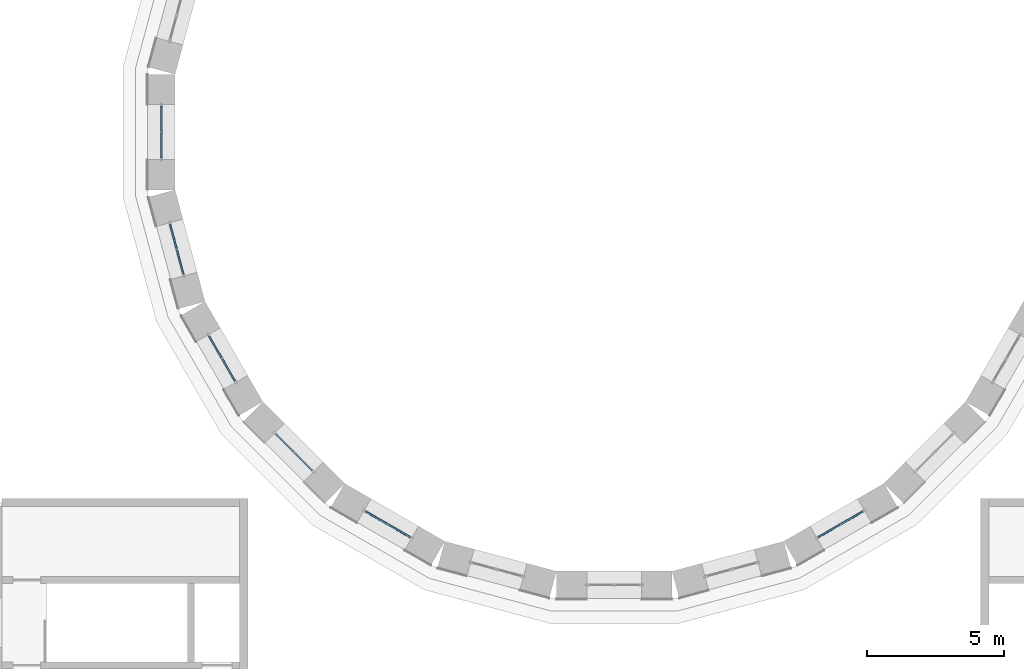
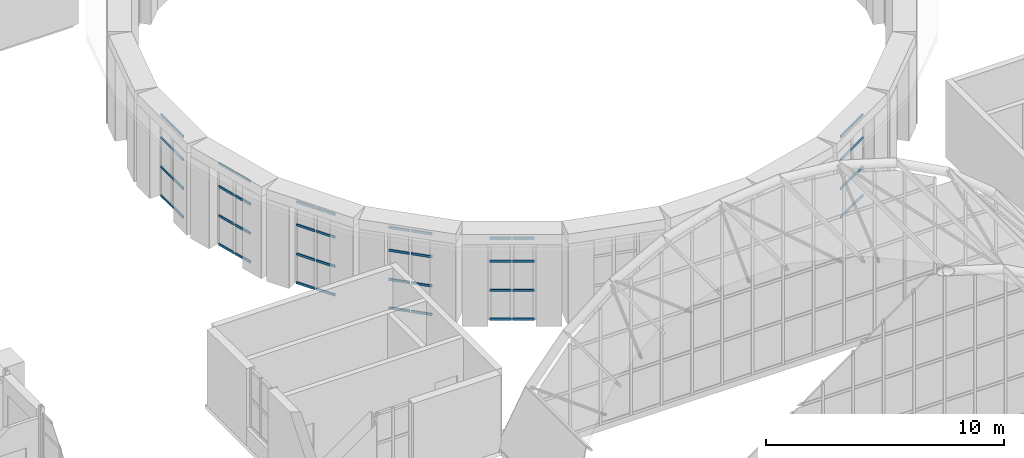
# One storey, part 70 of 121: 48 members, 6 elements without a shape of their own.
"""IFC4 building model written with IfcOpenShell, lengths in metres."""

from ifc_helpers import new_model, si_unit, direction, frame, origin, origin_2d, place, context, subcontext, project, spatial, rectangle, extrude, material, layer, layer_set, material_profile, profile_set, type_object, element, aggregate, save


model = new_model("IFC4")

# Units and contexts
model_context = context("Model", 3, precision=1e-05, world=origin(), true_north=direction((0.0, 1.0)))
body_context = subcontext(model_context, "Body", "Model", "MODEL_VIEW")
ifc_project = project(units=[si_unit("LENGTHUNIT", "METRE"), si_unit("AREAUNIT", "SQUARE_METRE"), si_unit("VOLUMEUNIT", "CUBIC_METRE"), si_unit("PLANEANGLEUNIT", "RADIAN"), si_unit("MASSUNIT", "GRAM", prefix="KILO")], contexts=[model_context])

# Site, building, storey
site_placement = place(None, origin())
site = spatial("IfcSite", under=ifc_project, at=site_placement, CompositionType="ELEMENT")
building_placement = place(site_placement, origin())
building = spatial("IfcBuilding", under=site, at=building_placement, Name="Golden Quay Civic Hall", CompositionType="ELEMENT")
storey_placement = place(building_placement, frame((0.0, 0.0, 18.60009765625)))
storey = spatial("IfcBuildingStorey", under=building, at=storey_placement, Name="L04", CompositionType="ELEMENT", Elevation=18.60009765625)

# Curtain wall, members
ifc_material_1 = material(Name="Glass, laminated double glazed", Category="glass")
ifc_layer = layer(ifc_material_1, 0.199951171875)
ifc_layer_set = layer_set([ifc_layer], Name="Glazed drum clerestory curtain wall")
curtain_wall_type = type_object("IfcCurtainWallType", Name="Glazed drum clerestory curtain wall", PredefinedType="NOTDEFINED", material=ifc_layer_set)
curtain_wall_1_placement = place(storey_placement, origin())
curtain_wall_1 = element("IfcCurtainWall", 1, at=curtain_wall_1_placement, inside=storey, type_object=curtain_wall_type, Name="Clerestory curtain wall 12", PredefinedType="NOTDEFINED")
ifc_material_2 = material(Name="Aluminium, anodised", Category="aluminium")
ifc_material_profile = material_profile(ifc_material_2, rectangle(XDim=0.06005859375, YDim=0.1201171875, at=origin_2d()), Name="Aluminium 60 x 120")
ifc_profile_set = profile_set([ifc_material_profile], Name="Aluminium, anodised")
member_type = type_object("IfcMemberType", Name="Aluminium transom 60 x 120", PredefinedType="USERDEFINED", material=ifc_profile_set)
member_1_placement = place(storey_placement, frame((69.0, 86.43994140625, -0.170166015625), z_axis=(0.0, -1.0, 0.0), x_axis=(1.0, 0.0, 0.0)))
member_1 = element("IfcMember", 2, at=member_1_placement, type_object=member_type, Name="CW5 transom 1.1", ObjectType="TRANSOM", PredefinedType="USERDEFINED", context=body_context, shape_type="SweptSolid", body=[
    extrude(rectangle(XDim=0.06005859375, YDim=0.1201171875, at=origin_2d()), origin(), (0.0, 0.0, 1.0), 0.909912109375),
])
member_2_placement = place(storey_placement, frame((69.0, 86.43994140625, 1.2998046875), z_axis=(0.0, -1.0, 0.0), x_axis=(1.0, 0.0, 0.0)))
member_2 = element("IfcMember", 3, at=member_2_placement, type_object=member_type, Name="CW5 transom 1.2", ObjectType="TRANSOM", PredefinedType="USERDEFINED", context=body_context, shape_type="SweptSolid", body=[
    extrude(rectangle(XDim=0.06005859375, YDim=0.1201171875, at=origin_2d()), origin(), (0.0, 0.0, 1.0), 0.909912109375),
])
member_3_placement = place(storey_placement, frame((69.0, 86.43994140625, 2.7998046875), z_axis=(0.0, -1.0, 0.0), x_axis=(1.0, 0.0, 0.0)))
member_3 = element("IfcMember", 4, at=member_3_placement, type_object=member_type, Name="CW5 transom 1.3", ObjectType="TRANSOM", PredefinedType="USERDEFINED", context=body_context, shape_type="SweptSolid", body=[
    extrude(rectangle(XDim=0.06005859375, YDim=0.1201171875, at=origin_2d()), origin(), (0.0, 0.0, 1.0), 0.909912109375),
])
member_4_placement = place(storey_placement, frame((69.0, 86.43994140625, 3.969970703125), z_axis=(0.0, -1.0, 0.0), x_axis=(1.0, 0.0, 0.0)))
member_4 = element("IfcMember", 5, at=member_4_placement, type_object=member_type, Name="CW5 transom 1.4", ObjectType="TRANSOM", PredefinedType="USERDEFINED", context=body_context, shape_type="SweptSolid", body=[
    extrude(rectangle(XDim=0.06005859375, YDim=0.1201171875, at=origin_2d()), origin(), (0.0, 0.0, 1.0), 0.909912109375),
])
member_5_placement = place(storey_placement, frame((69.0, 85.469970703125, -0.170166015625), z_axis=(0.0, -1.0, 0.0), x_axis=(1.0, 0.0, 0.0)))
member_5 = element("IfcMember", 6, at=member_5_placement, type_object=member_type, Name="CW5 transom 2.1", ObjectType="TRANSOM", PredefinedType="USERDEFINED", context=body_context, shape_type="SweptSolid", body=[
    extrude(rectangle(XDim=0.06005859375, YDim=0.1201171875, at=origin_2d()), origin(), (0.0, 0.0, 1.0), 0.909912109375),
])
member_6_placement = place(storey_placement, frame((69.0, 85.469970703125, 1.2998046875), z_axis=(0.0, -1.0, 0.0), x_axis=(1.0, 0.0, 0.0)))
member_6 = element("IfcMember", 7, at=member_6_placement, type_object=member_type, Name="CW5 transom 2.2", ObjectType="TRANSOM", PredefinedType="USERDEFINED", context=body_context, shape_type="SweptSolid", body=[
    extrude(rectangle(XDim=0.06005859375, YDim=0.1201171875, at=origin_2d()), origin(), (0.0, 0.0, 1.0), 0.909912109375),
])
member_7_placement = place(storey_placement, frame((69.0, 85.469970703125, 2.7998046875), z_axis=(0.0, -1.0, 0.0), x_axis=(1.0, 0.0, 0.0)))
member_7 = element("IfcMember", 8, at=member_7_placement, type_object=member_type, Name="CW5 transom 2.3", ObjectType="TRANSOM", PredefinedType="USERDEFINED", context=body_context, shape_type="SweptSolid", body=[
    extrude(rectangle(XDim=0.06005859375, YDim=0.1201171875, at=origin_2d()), origin(), (0.0, 0.0, 1.0), 0.909912109375),
])
member_8_placement = place(storey_placement, frame((69.0, 85.469970703125, 3.969970703125), z_axis=(0.0, -1.0, 0.0), x_axis=(1.0, 0.0, 0.0)))
member_8 = element("IfcMember", 9, at=member_8_placement, type_object=member_type, Name="CW5 transom 2.4", ObjectType="TRANSOM", PredefinedType="USERDEFINED", context=body_context, shape_type="SweptSolid", body=[
    extrude(rectangle(XDim=0.06005859375, YDim=0.1201171875, at=origin_2d()), origin(), (0.0, 0.0, 1.0), 0.909912109375),
])
aggregate(curtain_wall_1, [member_1, member_2, member_3, member_4, member_5, member_6, member_7, member_8])

curtain_wall_2_placement = place(storey_placement, origin())
curtain_wall_2 = element("IfcCurtainWall", 10, at=curtain_wall_2_placement, inside=storey, type_object=curtain_wall_type, Name="Clerestory curtain wall 13", PredefinedType="NOTDEFINED")
member_9_placement = place(storey_placement, frame((69.31884765625, 82.137451171875, -0.170166015625), z_axis=(0.258914897967, -0.965900137494, 0.0), x_axis=(0.965900137494, 0.258914897967, 0.0)))
member_9 = element("IfcMember", 11, at=member_9_placement, type_object=member_type, Name="CW5 transom 1.1", ObjectType="TRANSOM", PredefinedType="USERDEFINED", context=body_context, shape_type="SweptSolid", body=[
    extrude(rectangle(XDim=0.06005859375, YDim=0.1201171875, at=origin_2d()), origin(), (0.0, 0.0, 1.0), 0.909912109375),
])
member_10_placement = place(storey_placement, frame((69.31884765625, 82.137451171875, 1.2998046875), z_axis=(0.258914897967, -0.965900137494, 0.0), x_axis=(0.965900137494, 0.258914897967, 0.0)))
member_10 = element("IfcMember", 12, at=member_10_placement, type_object=member_type, Name="CW5 transom 1.2", ObjectType="TRANSOM", PredefinedType="USERDEFINED", context=body_context, shape_type="SweptSolid", body=[
    extrude(rectangle(XDim=0.06005859375, YDim=0.1201171875, at=origin_2d()), origin(), (0.0, 0.0, 1.0), 0.909912109375),
])
member_11_placement = place(storey_placement, frame((69.31884765625, 82.137451171875, 2.7998046875), z_axis=(0.258914897967, -0.965900137494, 0.0), x_axis=(0.965900137494, 0.258914897967, 0.0)))
member_11 = element("IfcMember", 13, at=member_11_placement, type_object=member_type, Name="CW5 transom 1.3", ObjectType="TRANSOM", PredefinedType="USERDEFINED", context=body_context, shape_type="SweptSolid", body=[
    extrude(rectangle(XDim=0.06005859375, YDim=0.1201171875, at=origin_2d()), origin(), (0.0, 0.0, 1.0), 0.909912109375),
])
member_12_placement = place(storey_placement, frame((69.31884765625, 82.137451171875, 3.969970703125), z_axis=(0.258914897967, -0.965900137494, 0.0), x_axis=(0.965900137494, 0.258914897967, 0.0)))
member_12 = element("IfcMember", 14, at=member_12_placement, type_object=member_type, Name="CW5 transom 1.4", ObjectType="TRANSOM", PredefinedType="USERDEFINED", context=body_context, shape_type="SweptSolid", body=[
    extrude(rectangle(XDim=0.06005859375, YDim=0.1201171875, at=origin_2d()), origin(), (0.0, 0.0, 1.0), 0.909912109375),
])
member_13_placement = place(storey_placement, frame((69.570068359375, 81.200439453125, -0.170166015625), z_axis=(0.258664552677, -0.965967209168, 0.0), x_axis=(0.965967209168, 0.258664552677, 0.0)))
member_13 = element("IfcMember", 15, at=member_13_placement, type_object=member_type, Name="CW5 transom 2.1", ObjectType="TRANSOM", PredefinedType="USERDEFINED", context=body_context, shape_type="SweptSolid", body=[
    extrude(rectangle(XDim=0.06005859375, YDim=0.1201171875, at=origin_2d()), origin(), (0.0, 0.0, 1.0), 0.909912109375),
])
member_14_placement = place(storey_placement, frame((69.570068359375, 81.200439453125, 1.2998046875), z_axis=(0.258664552677, -0.965967209168, 0.0), x_axis=(0.965967209168, 0.258664552677, 0.0)))
member_14 = element("IfcMember", 16, at=member_14_placement, type_object=member_type, Name="CW5 transom 2.2", ObjectType="TRANSOM", PredefinedType="USERDEFINED", context=body_context, shape_type="SweptSolid", body=[
    extrude(rectangle(XDim=0.06005859375, YDim=0.1201171875, at=origin_2d()), origin(), (0.0, 0.0, 1.0), 0.909912109375),
])
member_15_placement = place(storey_placement, frame((69.570068359375, 81.200439453125, 2.7998046875), z_axis=(0.258664552677, -0.965967209168, 0.0), x_axis=(0.965967209168, 0.258664552677, 0.0)))
member_15 = element("IfcMember", 17, at=member_15_placement, type_object=member_type, Name="CW5 transom 2.3", ObjectType="TRANSOM", PredefinedType="USERDEFINED", context=body_context, shape_type="SweptSolid", body=[
    extrude(rectangle(XDim=0.06005859375, YDim=0.1201171875, at=origin_2d()), origin(), (0.0, 0.0, 1.0), 0.909912109375),
])
member_16_placement = place(storey_placement, frame((69.570068359375, 81.200439453125, 3.969970703125), z_axis=(0.258664552677, -0.965967209168, 0.0), x_axis=(0.965967209168, 0.258664552677, 0.0)))
member_16 = element("IfcMember", 18, at=member_16_placement, type_object=member_type, Name="CW5 transom 2.4", ObjectType="TRANSOM", PredefinedType="USERDEFINED", context=body_context, shape_type="SweptSolid", body=[
    extrude(rectangle(XDim=0.06005859375, YDim=0.1201171875, at=origin_2d()), origin(), (0.0, 0.0, 1.0), 0.909912109375),
])
aggregate(curtain_wall_2, [member_9, member_10, member_11, member_12, member_13, member_14, member_15, member_16])

curtain_wall_3_placement = place(storey_placement, origin())
curtain_wall_3 = element("IfcCurtainWall", 19, at=curtain_wall_3_placement, inside=storey, type_object=curtain_wall_type, Name="Clerestory curtain wall 14", PredefinedType="NOTDEFINED")
member_17_placement = place(storey_placement, frame((70.74072265625, 78.06396484375, -0.170166015625), z_axis=(0.499861813449, -0.866105171129, 0.0), x_axis=(0.866105171129, 0.499861813449, 0.0)))
member_17 = element("IfcMember", 20, at=member_17_placement, type_object=member_type, Name="CW5 transom 1.1", ObjectType="TRANSOM", PredefinedType="USERDEFINED", context=body_context, shape_type="SweptSolid", body=[
    extrude(rectangle(XDim=0.06005859375, YDim=0.1201171875, at=origin_2d()), origin(), (0.0, 0.0, 1.0), 0.909912109375),
])
member_18_placement = place(storey_placement, frame((70.74072265625, 78.06396484375, 1.2998046875), z_axis=(0.499861813449, -0.866105171129, 0.0), x_axis=(0.866105171129, 0.499861813449, 0.0)))
member_18 = element("IfcMember", 21, at=member_18_placement, type_object=member_type, Name="CW5 transom 1.2", ObjectType="TRANSOM", PredefinedType="USERDEFINED", context=body_context, shape_type="SweptSolid", body=[
    extrude(rectangle(XDim=0.06005859375, YDim=0.1201171875, at=origin_2d()), origin(), (0.0, 0.0, 1.0), 0.909912109375),
])
member_19_placement = place(storey_placement, frame((70.74072265625, 78.06396484375, 2.7998046875), z_axis=(0.499861813449, -0.866105171129, 0.0), x_axis=(0.866105171129, 0.499861813449, 0.0)))
member_19 = element("IfcMember", 22, at=member_19_placement, type_object=member_type, Name="CW5 transom 1.3", ObjectType="TRANSOM", PredefinedType="USERDEFINED", context=body_context, shape_type="SweptSolid", body=[
    extrude(rectangle(XDim=0.06005859375, YDim=0.1201171875, at=origin_2d()), origin(), (0.0, 0.0, 1.0), 0.909912109375),
])
member_20_placement = place(storey_placement, frame((70.74072265625, 78.06396484375, 3.969970703125), z_axis=(0.499861813449, -0.866105171129, 0.0), x_axis=(0.866105171129, 0.499861813449, 0.0)))
member_20 = element("IfcMember", 23, at=member_20_placement, type_object=member_type, Name="CW5 transom 1.4", ObjectType="TRANSOM", PredefinedType="USERDEFINED", context=body_context, shape_type="SweptSolid", body=[
    extrude(rectangle(XDim=0.06005859375, YDim=0.1201171875, at=origin_2d()), origin(), (0.0, 0.0, 1.0), 0.909912109375),
])
member_21_placement = place(storey_placement, frame((71.2255859375, 77.22412109375, -0.170166015625), z_axis=(0.500063042646, -0.865989003036, 0.0), x_axis=(0.865989003036, 0.500063042646, 0.0)))
member_21 = element("IfcMember", 24, at=member_21_placement, type_object=member_type, Name="CW5 transom 2.1", ObjectType="TRANSOM", PredefinedType="USERDEFINED", context=body_context, shape_type="SweptSolid", body=[
    extrude(rectangle(XDim=0.06005859375, YDim=0.1201171875, at=origin_2d()), origin(), (0.0, 0.0, 1.0), 0.91015625),
])
member_22_placement = place(storey_placement, frame((71.2255859375, 77.22412109375, 1.2998046875), z_axis=(0.500063042646, -0.865989003036, 0.0), x_axis=(0.865989003036, 0.500063042646, 0.0)))
member_22 = element("IfcMember", 25, at=member_22_placement, type_object=member_type, Name="CW5 transom 2.2", ObjectType="TRANSOM", PredefinedType="USERDEFINED", context=body_context, shape_type="SweptSolid", body=[
    extrude(rectangle(XDim=0.06005859375, YDim=0.1201171875, at=origin_2d()), origin(), (0.0, 0.0, 1.0), 0.91015625),
])
member_23_placement = place(storey_placement, frame((71.2255859375, 77.22412109375, 2.7998046875), z_axis=(0.500063042646, -0.865989003036, 0.0), x_axis=(0.865989003036, 0.500063042646, 0.0)))
member_23 = element("IfcMember", 26, at=member_23_placement, type_object=member_type, Name="CW5 transom 2.3", ObjectType="TRANSOM", PredefinedType="USERDEFINED", context=body_context, shape_type="SweptSolid", body=[
    extrude(rectangle(XDim=0.06005859375, YDim=0.1201171875, at=origin_2d()), origin(), (0.0, 0.0, 1.0), 0.91015625),
])
member_24_placement = place(storey_placement, frame((71.2255859375, 77.22412109375, 3.969970703125), z_axis=(0.500063042646, -0.865989003036, 0.0), x_axis=(0.865989003036, 0.500063042646, 0.0)))
member_24 = element("IfcMember", 27, at=member_24_placement, type_object=member_type, Name="CW5 transom 2.4", ObjectType="TRANSOM", PredefinedType="USERDEFINED", context=body_context, shape_type="SweptSolid", body=[
    extrude(rectangle(XDim=0.06005859375, YDim=0.1201171875, at=origin_2d()), origin(), (0.0, 0.0, 1.0), 0.91015625),
])
aggregate(curtain_wall_3, [member_17, member_18, member_19, member_20, member_21, member_22, member_23, member_24])

curtain_wall_4_placement = place(storey_placement, origin())
curtain_wall_4 = element("IfcCurtainWall", 28, at=curtain_wall_4_placement, inside=storey, type_object=curtain_wall_type, Name="Clerestory curtain wall 15", PredefinedType="NOTDEFINED")
member_25_placement = place(storey_placement, frame((73.16796875, 74.497314453125, -0.170166015625), z_axis=(0.707240918863, -0.706972618059, 0.0), x_axis=(0.706972618059, 0.707240918863, 0.0)))
member_25 = element("IfcMember", 29, at=member_25_placement, type_object=member_type, Name="CW5 transom 1.1", ObjectType="TRANSOM", PredefinedType="USERDEFINED", context=body_context, shape_type="SweptSolid", body=[
    extrude(rectangle(XDim=0.06005859375, YDim=0.1201171875, at=origin_2d()), origin(), (0.0, 0.0, 1.0), 0.909912109375),
])
member_26_placement = place(storey_placement, frame((73.16796875, 74.497314453125, 1.2998046875), z_axis=(0.707240918863, -0.706972618059, 0.0), x_axis=(0.706972618059, 0.707240918863, 0.0)))
member_26 = element("IfcMember", 30, at=member_26_placement, type_object=member_type, Name="CW5 transom 1.2", ObjectType="TRANSOM", PredefinedType="USERDEFINED", context=body_context, shape_type="SweptSolid", body=[
    extrude(rectangle(XDim=0.06005859375, YDim=0.1201171875, at=origin_2d()), origin(), (0.0, 0.0, 1.0), 0.909912109375),
])
member_27_placement = place(storey_placement, frame((73.16796875, 74.497314453125, 2.7998046875), z_axis=(0.707240918863, -0.706972618059, 0.0), x_axis=(0.706972618059, 0.707240918863, 0.0)))
member_27 = element("IfcMember", 31, at=member_27_placement, type_object=member_type, Name="CW5 transom 1.3", ObjectType="TRANSOM", PredefinedType="USERDEFINED", context=body_context, shape_type="SweptSolid", body=[
    extrude(rectangle(XDim=0.06005859375, YDim=0.1201171875, at=origin_2d()), origin(), (0.0, 0.0, 1.0), 0.909912109375),
])
member_28_placement = place(storey_placement, frame((73.16796875, 74.497314453125, 3.969970703125), z_axis=(0.707240918863, -0.706972618059, 0.0), x_axis=(0.706972618059, 0.707240918863, 0.0)))
member_28 = element("IfcMember", 32, at=member_28_placement, type_object=member_type, Name="CW5 transom 1.4", ObjectType="TRANSOM", PredefinedType="USERDEFINED", context=body_context, shape_type="SweptSolid", body=[
    extrude(rectangle(XDim=0.06005859375, YDim=0.1201171875, at=origin_2d()), origin(), (0.0, 0.0, 1.0), 0.909912109375),
])
member_29_placement = place(storey_placement, frame((73.85400390625, 73.8115234375, -0.170166015625), z_axis=(0.706972618059, -0.707240918863, 0.0), x_axis=(0.707240918863, 0.706972618059, 0.0)))
member_29 = element("IfcMember", 33, at=member_29_placement, type_object=member_type, Name="CW5 transom 2.1", ObjectType="TRANSOM", PredefinedType="USERDEFINED", context=body_context, shape_type="SweptSolid", body=[
    extrude(rectangle(XDim=0.06005859375, YDim=0.1201171875, at=origin_2d()), origin(), (0.0, 0.0, 1.0), 0.909912109375),
])
member_30_placement = place(storey_placement, frame((73.85400390625, 73.8115234375, 1.2998046875), z_axis=(0.706972618059, -0.707240918863, 0.0), x_axis=(0.707240918863, 0.706972618059, 0.0)))
member_30 = element("IfcMember", 34, at=member_30_placement, type_object=member_type, Name="CW5 transom 2.2", ObjectType="TRANSOM", PredefinedType="USERDEFINED", context=body_context, shape_type="SweptSolid", body=[
    extrude(rectangle(XDim=0.06005859375, YDim=0.1201171875, at=origin_2d()), origin(), (0.0, 0.0, 1.0), 0.909912109375),
])
member_31_placement = place(storey_placement, frame((73.85400390625, 73.8115234375, 2.7998046875), z_axis=(0.706972618059, -0.707240918863, 0.0), x_axis=(0.707240918863, 0.706972618059, 0.0)))
member_31 = element("IfcMember", 35, at=member_31_placement, type_object=member_type, Name="CW5 transom 2.3", ObjectType="TRANSOM", PredefinedType="USERDEFINED", context=body_context, shape_type="SweptSolid", body=[
    extrude(rectangle(XDim=0.06005859375, YDim=0.1201171875, at=origin_2d()), origin(), (0.0, 0.0, 1.0), 0.909912109375),
])
member_32_placement = place(storey_placement, frame((73.85400390625, 73.8115234375, 3.969970703125), z_axis=(0.706972618059, -0.707240918863, 0.0), x_axis=(0.707240918863, 0.706972618059, 0.0)))
member_32 = element("IfcMember", 36, at=member_32_placement, type_object=member_type, Name="CW5 transom 2.4", ObjectType="TRANSOM", PredefinedType="USERDEFINED", context=body_context, shape_type="SweptSolid", body=[
    extrude(rectangle(XDim=0.06005859375, YDim=0.1201171875, at=origin_2d()), origin(), (0.0, 0.0, 1.0), 0.909912109375),
])
aggregate(curtain_wall_4, [member_25, member_26, member_27, member_28, member_29, member_30, member_31, member_32])

curtain_wall_5_placement = place(storey_placement, origin())
curtain_wall_5 = element("IfcCurtainWall", 37, at=curtain_wall_5_placement, inside=storey, type_object=curtain_wall_type, Name="Clerestory curtain wall 16", PredefinedType="NOTDEFINED")
member_33_placement = place(storey_placement, frame((76.43603515625, 71.6806640625, -0.170166015625), z_axis=(0.865989003036, -0.500063042646, 0.0), x_axis=(0.500063042646, 0.865989003036, 0.0)))
member_33 = element("IfcMember", 38, at=member_33_placement, type_object=member_type, Name="CW5 transom 1.1", ObjectType="TRANSOM", PredefinedType="USERDEFINED", context=body_context, shape_type="SweptSolid", body=[
    extrude(rectangle(XDim=0.06005859375, YDim=0.1201171875, at=origin_2d()), origin(), (0.0, 0.0, 1.0), 0.91015625),
])
member_34_placement = place(storey_placement, frame((76.43603515625, 71.6806640625, 1.2998046875), z_axis=(0.865989003036, -0.500063042646, 0.0), x_axis=(0.500063042646, 0.865989003036, 0.0)))
member_34 = element("IfcMember", 39, at=member_34_placement, type_object=member_type, Name="CW5 transom 1.2", ObjectType="TRANSOM", PredefinedType="USERDEFINED", context=body_context, shape_type="SweptSolid", body=[
    extrude(rectangle(XDim=0.06005859375, YDim=0.1201171875, at=origin_2d()), origin(), (0.0, 0.0, 1.0), 0.91015625),
])
member_35_placement = place(storey_placement, frame((76.43603515625, 71.6806640625, 2.7998046875), z_axis=(0.865989003036, -0.500063042646, 0.0), x_axis=(0.500063042646, 0.865989003036, 0.0)))
member_35 = element("IfcMember", 40, at=member_35_placement, type_object=member_type, Name="CW5 transom 1.3", ObjectType="TRANSOM", PredefinedType="USERDEFINED", context=body_context, shape_type="SweptSolid", body=[
    extrude(rectangle(XDim=0.06005859375, YDim=0.1201171875, at=origin_2d()), origin(), (0.0, 0.0, 1.0), 0.91015625),
])
member_36_placement = place(storey_placement, frame((76.43603515625, 71.6806640625, 3.969970703125), z_axis=(0.865989003036, -0.500063042646, 0.0), x_axis=(0.500063042646, 0.865989003036, 0.0)))
member_36 = element("IfcMember", 41, at=member_36_placement, type_object=member_type, Name="CW5 transom 1.4", ObjectType="TRANSOM", PredefinedType="USERDEFINED", context=body_context, shape_type="SweptSolid", body=[
    extrude(rectangle(XDim=0.06005859375, YDim=0.1201171875, at=origin_2d()), origin(), (0.0, 0.0, 1.0), 0.91015625),
])
member_37_placement = place(storey_placement, frame((77.27587890625, 71.195556640625, -0.170166015625), z_axis=(0.866105171129, -0.499861813449, 0.0), x_axis=(0.499861813449, 0.866105171129, 0.0)))
member_37 = element("IfcMember", 42, at=member_37_placement, type_object=member_type, Name="CW5 transom 2.1", ObjectType="TRANSOM", PredefinedType="USERDEFINED", context=body_context, shape_type="SweptSolid", body=[
    extrude(rectangle(XDim=0.06005859375, YDim=0.1201171875, at=origin_2d()), origin(), (0.0, 0.0, 1.0), 0.909912109375),
])
member_38_placement = place(storey_placement, frame((77.27587890625, 71.195556640625, 1.2998046875), z_axis=(0.866105171129, -0.499861813449, 0.0), x_axis=(0.499861813449, 0.866105171129, 0.0)))
member_38 = element("IfcMember", 43, at=member_38_placement, type_object=member_type, Name="CW5 transom 2.2", ObjectType="TRANSOM", PredefinedType="USERDEFINED", context=body_context, shape_type="SweptSolid", body=[
    extrude(rectangle(XDim=0.06005859375, YDim=0.1201171875, at=origin_2d()), origin(), (0.0, 0.0, 1.0), 0.909912109375),
])
member_39_placement = place(storey_placement, frame((77.27587890625, 71.195556640625, 2.7998046875), z_axis=(0.866105171129, -0.499861813449, 0.0), x_axis=(0.499861813449, 0.866105171129, 0.0)))
member_39 = element("IfcMember", 44, at=member_39_placement, type_object=member_type, Name="CW5 transom 2.3", ObjectType="TRANSOM", PredefinedType="USERDEFINED", context=body_context, shape_type="SweptSolid", body=[
    extrude(rectangle(XDim=0.06005859375, YDim=0.1201171875, at=origin_2d()), origin(), (0.0, 0.0, 1.0), 0.909912109375),
])
member_40_placement = place(storey_placement, frame((77.27587890625, 71.195556640625, 3.969970703125), z_axis=(0.866105171129, -0.499861813449, 0.0), x_axis=(0.499861813449, 0.866105171129, 0.0)))
member_40 = element("IfcMember", 45, at=member_40_placement, type_object=member_type, Name="CW5 transom 2.4", ObjectType="TRANSOM", PredefinedType="USERDEFINED", context=body_context, shape_type="SweptSolid", body=[
    extrude(rectangle(XDim=0.06005859375, YDim=0.1201171875, at=origin_2d()), origin(), (0.0, 0.0, 1.0), 0.909912109375),
])
aggregate(curtain_wall_5, [member_33, member_34, member_35, member_36, member_37, member_38, member_39, member_40])

curtain_wall_6_placement = place(storey_placement, origin())
curtain_wall_6 = element("IfcCurtainWall", 46, at=curtain_wall_6_placement, inside=storey, type_object=curtain_wall_type, Name="Clerestory curtain wall 20", PredefinedType="NOTDEFINED")
member_41_placement = place(storey_placement, frame((92.93603515625, 70.74072265625, -0.170166015625), z_axis=(0.866105171129, 0.499861813449, 0.0), x_axis=(-0.499861813449, 0.866105171129, 0.0)))
member_41 = element("IfcMember", 47, at=member_41_placement, type_object=member_type, Name="CW5 transom 1.1", ObjectType="TRANSOM", PredefinedType="USERDEFINED", context=body_context, shape_type="SweptSolid", body=[
    extrude(rectangle(XDim=0.06005859375, YDim=0.1201171875, at=origin_2d()), origin(), (0.0, 0.0, 1.0), 0.909912109375),
])
member_42_placement = place(storey_placement, frame((92.93603515625, 70.74072265625, 1.2998046875), z_axis=(0.866105171129, 0.499861813449, 0.0), x_axis=(-0.499861813449, 0.866105171129, 0.0)))
member_42 = element("IfcMember", 48, at=member_42_placement, type_object=member_type, Name="CW5 transom 1.2", ObjectType="TRANSOM", PredefinedType="USERDEFINED", context=body_context, shape_type="SweptSolid", body=[
    extrude(rectangle(XDim=0.06005859375, YDim=0.1201171875, at=origin_2d()), origin(), (0.0, 0.0, 1.0), 0.909912109375),
])
member_43_placement = place(storey_placement, frame((92.93603515625, 70.74072265625, 2.7998046875), z_axis=(0.866105171129, 0.499861813449, 0.0), x_axis=(-0.499861813449, 0.866105171129, 0.0)))
member_43 = element("IfcMember", 49, at=member_43_placement, type_object=member_type, Name="CW5 transom 1.3", ObjectType="TRANSOM", PredefinedType="USERDEFINED", context=body_context, shape_type="SweptSolid", body=[
    extrude(rectangle(XDim=0.06005859375, YDim=0.1201171875, at=origin_2d()), origin(), (0.0, 0.0, 1.0), 0.909912109375),
])
member_44_placement = place(storey_placement, frame((92.93603515625, 70.74072265625, 3.969970703125), z_axis=(0.866105171129, 0.499861813449, 0.0), x_axis=(-0.499861813449, 0.866105171129, 0.0)))
member_44 = element("IfcMember", 50, at=member_44_placement, type_object=member_type, Name="CW5 transom 1.4", ObjectType="TRANSOM", PredefinedType="USERDEFINED", context=body_context, shape_type="SweptSolid", body=[
    extrude(rectangle(XDim=0.06005859375, YDim=0.1201171875, at=origin_2d()), origin(), (0.0, 0.0, 1.0), 0.909912109375),
])
member_45_placement = place(storey_placement, frame((93.77587890625, 71.2255859375, -0.170166015625), z_axis=(0.865989003036, 0.500063042646, 0.0), x_axis=(-0.500063042646, 0.865989003036, 0.0)))
member_45 = element("IfcMember", 51, at=member_45_placement, type_object=member_type, Name="CW5 transom 2.1", ObjectType="TRANSOM", PredefinedType="USERDEFINED", context=body_context, shape_type="SweptSolid", body=[
    extrude(rectangle(XDim=0.06005859375, YDim=0.1201171875, at=origin_2d()), origin(), (0.0, 0.0, 1.0), 0.91015625),
])
member_46_placement = place(storey_placement, frame((93.77587890625, 71.2255859375, 1.2998046875), z_axis=(0.865989003036, 0.500063042646, 0.0), x_axis=(-0.500063042646, 0.865989003036, 0.0)))
member_46 = element("IfcMember", 52, at=member_46_placement, type_object=member_type, Name="CW5 transom 2.2", ObjectType="TRANSOM", PredefinedType="USERDEFINED", context=body_context, shape_type="SweptSolid", body=[
    extrude(rectangle(XDim=0.06005859375, YDim=0.1201171875, at=origin_2d()), origin(), (0.0, 0.0, 1.0), 0.91015625),
])
member_47_placement = place(storey_placement, frame((93.77587890625, 71.2255859375, 2.7998046875), z_axis=(0.865989003036, 0.500063042646, 0.0), x_axis=(-0.500063042646, 0.865989003036, 0.0)))
member_47 = element("IfcMember", 53, at=member_47_placement, type_object=member_type, Name="CW5 transom 2.3", ObjectType="TRANSOM", PredefinedType="USERDEFINED", context=body_context, shape_type="SweptSolid", body=[
    extrude(rectangle(XDim=0.06005859375, YDim=0.1201171875, at=origin_2d()), origin(), (0.0, 0.0, 1.0), 0.91015625),
])
member_48_placement = place(storey_placement, frame((93.77587890625, 71.2255859375, 3.969970703125), z_axis=(0.865989003036, 0.500063042646, 0.0), x_axis=(-0.500063042646, 0.865989003036, 0.0)))
member_48 = element("IfcMember", 54, at=member_48_placement, type_object=member_type, Name="CW5 transom 2.4", ObjectType="TRANSOM", PredefinedType="USERDEFINED", context=body_context, shape_type="SweptSolid", body=[
    extrude(rectangle(XDim=0.06005859375, YDim=0.1201171875, at=origin_2d()), origin(), (0.0, 0.0, 1.0), 0.91015625),
])
aggregate(curtain_wall_6, [member_41, member_42, member_43, member_44, member_45, member_46, member_47, member_48])

save(model, "model.ifc")
